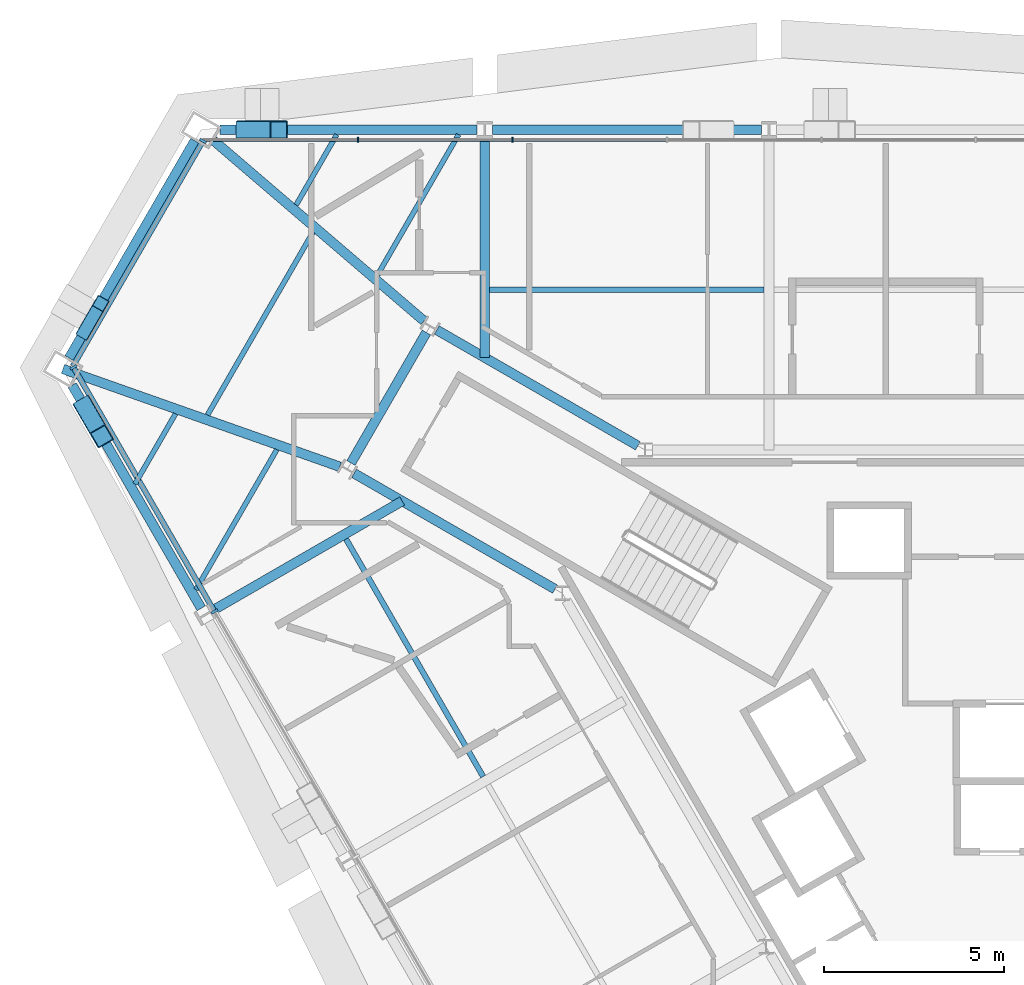
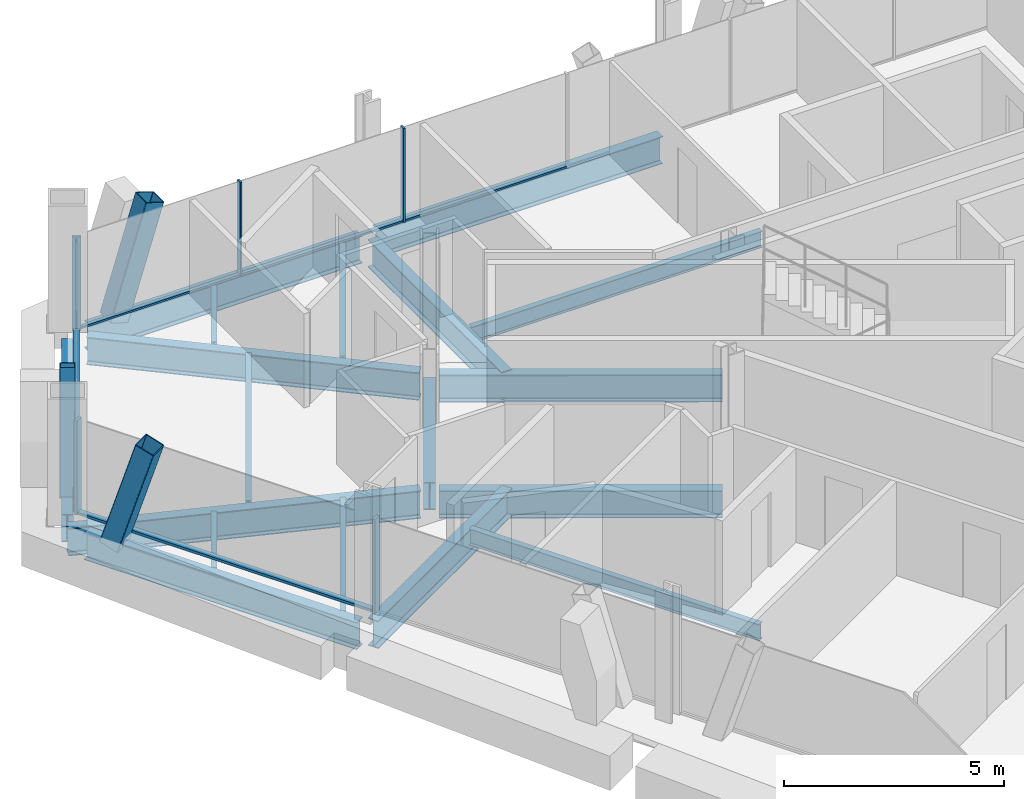
# One storey, part 6 of 17: 18 beams, 13 members, 3 elements without a shape of their own.
"""IFC4 building model written with IfcOpenShell, lengths in metres."""

from ifc_helpers import new_model, si_unit, direction, frame, origin, origin_2d, place, context, subcontext, project, spatial, rectangle, hollow_rectangle, i_section, extrude, material, material_profile, profile_set, type_object, element, aggregate, save


model = new_model("IFC4")

# Units and contexts
model_context = context("Model", 3, precision=1e-05, world=origin(), true_north=direction((0.0, 1.0)))
body_context = subcontext(model_context, "Body", "Model", "MODEL_VIEW")
ifc_project = project(units=[si_unit("LENGTHUNIT", "METRE"), si_unit("AREAUNIT", "SQUARE_METRE"), si_unit("VOLUMEUNIT", "CUBIC_METRE"), si_unit("PLANEANGLEUNIT", "RADIAN"), si_unit("MASSUNIT", "GRAM", prefix="KILO")], contexts=[model_context])

# Site, building, storey
site_placement = place(None, origin())
site = spatial("IfcSite", under=ifc_project, at=site_placement, CompositionType="ELEMENT")
building_placement = place(site_placement, origin())
building = spatial("IfcBuilding", under=site, at=building_placement, Name="Verrane Prism Tower", CompositionType="ELEMENT")
storey_placement = place(building_placement, frame((0.0, 0.0, 96.39990234375)))
storey = spatial("IfcBuildingStorey", under=building, at=storey_placement, Name="L22", CompositionType="ELEMENT", Elevation=96.39990234375)

# Member
ifc_material_1 = material(Name="Steel A500 Grade C", Category="steel")
ifc_material_profile_1 = material_profile(ifc_material_1, hollow_rectangle(XDim=0.355712890625, YDim=0.355712890625, WallThickness=0.0126953125, InnerFilletRadius=0.00634765625, OuterFilletRadius=0.01904296875, at=origin_2d()), Name="HSS14x14x1/2")
ifc_profile_set_1 = profile_set([ifc_material_profile_1], Name="Steel A500 Grade C")
member_type_1 = type_object("IfcMemberType", Name="Chamfer brace HSS14x14x1/2", PredefinedType="BRACE", material=ifc_profile_set_1)
member_1_placement = place(storey_placement, frame((-26.906005859375, 12.477294921875, -0.2451171875), z_axis=(0.145820902694, 0.252056291004, 0.956662892822), x_axis=(-0.8655847131, 0.500762523006, 0.0)))
element("IfcMember", 1, at=member_1_placement, inside=storey, type_object=member_type_1, Name="Chamfer brace NW0 L22", PredefinedType="BRACE", context=body_context, shape_type="SweptSolid", body=[
    extrude(hollow_rectangle(XDim=0.355712890625, YDim=0.355712890625, WallThickness=0.0126953125, InnerFilletRadius=0.00634765625, OuterFilletRadius=0.01904296875, at=origin_2d()), origin(), (0.0, 0.0, 1.0), 3.13916015625),
])

# Beams
ifc_material_2 = material(Name="Steel A992", Category="steel")
ifc_material_profile_2 = material_profile(ifc_material_2, i_section(OverallWidth=0.2666015625, OverallDepth=0.76708984375, WebThickness=0.014892578125, FlangeThickness=0.023681640625, FilletRadius=0.0166015625, at=origin_2d()), Name="W30x124")
ifc_profile_set_2 = profile_set([ifc_material_profile_2], Name="Steel A992")
beam_type_1 = type_object("IfcBeamType", Name="Chamfer spandrel beam W30x124", PredefinedType="SPANDREL", material=ifc_profile_set_2)
beam_1_placement = place(storey_placement, frame((-23.835205078125, 17.787109375, -0.54345703125), z_axis=(-0.500609590055, -0.865673170628, 0.0), x_axis=(0.865673170628, -0.500609590055, 0.0)))
element("IfcBeam", 2, at=beam_1_placement, inside=storey, type_object=beam_type_1, Name="Chamfer spandrel beam L22", PredefinedType="SPANDREL", context=body_context, shape_type="SweptSolid", body=[
    extrude(i_section(OverallWidth=0.2666015625, OverallDepth=0.76708984375, WebThickness=0.014892578125, FlangeThickness=0.023681640625, FilletRadius=0.0166015625, at=origin_2d()), origin(), (0.0, 0.0, 1.0), 6.970458984375),
])
ifc_material_3 = material(Name="Steel A992", Category="steel")
ifc_material_profile_3 = material_profile(ifc_material_3, i_section(OverallWidth=0.2666015625, OverallDepth=0.7568359375, WebThickness=0.013916015625, FlangeThickness=0.019287109375, FilletRadius=0.0166015625, at=origin_2d()), Name="W30x108")
ifc_profile_set_3 = profile_set([ifc_material_profile_3], Name="Steel A992")
beam_type_2 = type_object("IfcBeamType", Name="Core ring girder W30x108", PredefinedType="BEAM", material=ifc_profile_set_3)
beam_2_placement = place(storey_placement, frame((-11.53076171875, 9.315673828125, -0.62841796875), z_axis=(-0.866455532004, 0.499254254924, 0.0), x_axis=(-0.499254254924, -0.866455532004, 0.0)))
element("IfcBeam", 3, at=beam_2_placement, inside=storey, type_object=beam_type_2, Name="Core ring girder L22", PredefinedType="BEAM", context=body_context, shape_type="SweptSolid", body=[
    extrude(i_section(OverallWidth=0.2666015625, OverallDepth=0.7568359375, WebThickness=0.013916015625, FlangeThickness=0.019287109375, FilletRadius=0.0166015625, at=origin_2d()), origin(), (0.0, 0.0, 1.0), 6.441162109375),
])
beam_3_placement = place(storey_placement, frame((-17.40283203125, 12.4619140625, -0.62841796875), z_axis=(-0.500367003619, -0.865813410435, 0.0), x_axis=(0.865813410435, -0.500367003619, 0.0)))
element("IfcBeam", 4, at=beam_3_placement, inside=storey, type_object=beam_type_2, Name="Core ring girder L22", PredefinedType="BEAM", context=body_context, shape_type="SweptSolid", body=[
    extrude(i_section(OverallWidth=0.2666015625, OverallDepth=0.7568359375, WebThickness=0.013916015625, FlangeThickness=0.019287109375, FilletRadius=0.0166015625, at=origin_2d()), origin(), (0.0, 0.0, 1.0), 4.185302734375),
])
beam_4_placement = place(storey_placement, frame((-19.411865234375, 8.551513671875, -0.62841796875), z_axis=(0.866455532004, -0.499254254924, 0.0), x_axis=(0.499254254924, 0.866455532004, 0.0)))
element("IfcBeam", 5, at=beam_4_placement, inside=storey, type_object=beam_type_2, Name="Core ring girder L22", PredefinedType="BEAM", context=body_context, shape_type="SweptSolid", body=[
    extrude(i_section(OverallWidth=0.2666015625, OverallDepth=0.7568359375, WebThickness=0.013916015625, FlangeThickness=0.019287109375, FilletRadius=0.0166015625, at=origin_2d()), origin(), (0.0, 0.0, 1.0), 6.441162109375),
])
ifc_material_4 = material(Name="Steel A992", Category="steel")
ifc_material_profile_4 = material_profile(ifc_material_4, i_section(OverallWidth=0.2666015625, OverallDepth=0.76708984375, WebThickness=0.014892578125, FlangeThickness=0.023681640625, FilletRadius=0.0166015625, at=origin_2d()), Name="W30x124")
ifc_profile_set_4 = profile_set([ifc_material_profile_4], Name="Steel A992")
beam_type_3 = type_object("IfcBeamType", Name="Corner girder W30x124", PredefinedType="BEAM", material=ifc_profile_set_4)
beam_5_placement = place(storey_placement, frame((-23.3125, 17.7919921875, -0.603515625), z_axis=(0.759350631669, -0.65068165656, 0.0), x_axis=(0.65068165656, 0.759350631669, 0.0)))
element("IfcBeam", 6, at=beam_5_placement, inside=storey, type_object=beam_type_3, Name="Corner girder L22", PredefinedType="BEAM", context=body_context, shape_type="SweptSolid", body=[
    extrude(i_section(OverallWidth=0.2666015625, OverallDepth=0.76708984375, WebThickness=0.014892578125, FlangeThickness=0.023681640625, FilletRadius=0.0166015625, at=origin_2d()), origin(), (0.0, 0.0, 1.0), 7.697021484375),
])
beam_6_placement = place(storey_placement, frame((-27.4970703125, 11.448974609375, -0.603515625), z_axis=(0.942926196669, -0.333001783233, 0.0), x_axis=(0.333001783233, 0.942926196669, 0.0)))
element("IfcBeam", 7, at=beam_6_placement, inside=storey, type_object=beam_type_3, Name="Corner girder L22", PredefinedType="BEAM", context=body_context, shape_type="SweptSolid", body=[
    extrude(i_section(OverallWidth=0.2666015625, OverallDepth=0.76708984375, WebThickness=0.014892578125, FlangeThickness=0.023681640625, FilletRadius=0.0166015625, at=origin_2d()), origin(), (0.0, 0.0, 1.0), 8.154052734375),
])

# Members
ifc_material_5 = material(Name="Steel A1085 Grade A", Category="steel")
ifc_material_profile_5 = material_profile(ifc_material_5, hollow_rectangle(XDim=0.508056640625, YDim=0.508056640625, WallThickness=0.025390625, InnerFilletRadius=0.0126953125, OuterFilletRadius=0.0380859375, at=origin_2d()), Name="HSS20x20x1")
ifc_profile_set_5 = profile_set([ifc_material_profile_5], Name="Steel A1085 Grade A")
member_type_2 = type_object("IfcMemberType", Name="Facade brace HSS20x20x1", PredefinedType="BRACE", material=ifc_profile_set_5)
member_2_placement = place(storey_placement, frame((-22.44189453125, 18.090087890625, -0.242431640625), z_axis=(0.298464647361, 0.0, 0.954420690406), x_axis=(0.0, 1.0, 0.0)))
element("IfcMember", 8, at=member_2_placement, inside=storey, type_object=member_type_2, Name="Facade brace N5 L22", PredefinedType="BRACE", context=body_context, shape_type="SweptSolid", body=[
    extrude(hollow_rectangle(XDim=0.508056640625, YDim=0.508056640625, WallThickness=0.025390625, InnerFilletRadius=0.0126953125, OuterFilletRadius=0.0380859375, at=origin_2d()), origin(), (0.0, 0.0, 1.0), 3.151611328125),
])
member_3_placement = place(storey_placement, frame((-26.889404296875, 10.39404296875, -0.242431640625), z_axis=(0.149642236647, -0.258620822031, 0.954317804205), x_axis=(0.86555049301, 0.500821668911, 0.0)))
element("IfcMember", 9, at=member_3_placement, inside=storey, type_object=member_type_2, Name="Facade brace SW0 L22", PredefinedType="BRACE", context=body_context, shape_type="SweptSolid", body=[
    extrude(hollow_rectangle(XDim=0.508056640625, YDim=0.508056640625, WallThickness=0.025390625, InnerFilletRadius=0.0126953125, OuterFilletRadius=0.0380859375, at=origin_2d()), origin(), (0.0, 0.0, 1.0), 3.152099609375),
])

# Beams
ifc_material_6 = material(Name="Steel A992", Category="steel")
ifc_material_profile_6 = material_profile(ifc_material_6, i_section(OverallWidth=0.140380859375, OverallDepth=0.40380859375, WebThickness=0.007080078125, FlangeThickness=0.01123046875, FilletRadius=0.01025390625, at=origin_2d()), Name="W16x31")
ifc_profile_set_6 = profile_set([ifc_material_profile_6], Name="Steel A992")
beam_type_4 = type_object("IfcBeamType", Name="Floor beam W16x31", PredefinedType="BEAM", material=ifc_profile_set_6)
beam_7_placement = place(storey_placement, frame((-18.756591796875, 14.06396484375, -0.36181640625), z_axis=(0.499988891082, 0.866031817426, 0.0), x_axis=(-0.866031817426, 0.499988891082, 0.0)))
element("IfcBeam", 10, at=beam_7_placement, inside=storey, type_object=beam_type_4, Name="Floor beam L22", PredefinedType="BEAM", context=body_context, shape_type="SweptSolid", body=[
    extrude(i_section(OverallWidth=0.140380859375, OverallDepth=0.40380859375, WebThickness=0.007080078125, FlangeThickness=0.01123046875, FilletRadius=0.01025390625, at=origin_2d()), origin(), (0.0, 0.0, 1.0), 4.49462890625),
])
beam_8_placement = place(storey_placement, frame((-21.019775390625, 16.00341796875, -0.36181640625), z_axis=(0.500016062875, 0.866016129681, 0.0), x_axis=(-0.866016129681, 0.500016062875, 0.0)))
element("IfcBeam", 11, at=beam_8_placement, inside=storey, type_object=beam_type_4, Name="Floor beam L22", PredefinedType="BEAM", context=body_context, shape_type="SweptSolid", body=[
    extrude(i_section(OverallWidth=0.140380859375, OverallDepth=0.40380859375, WebThickness=0.007080078125, FlangeThickness=0.01123046875, FilletRadius=0.01025390625, at=origin_2d()), origin(), (0.0, 0.0, 1.0), 2.25537109375),
])
beam_9_placement = place(storey_placement, frame((-23.80126953125, 5.321044921875, -0.36181640625), z_axis=(0.500004878216, 0.866022587327, 0.0), x_axis=(-0.866022587327, 0.500004878216, 0.0)))
element("IfcBeam", 12, at=beam_9_placement, inside=storey, type_object=beam_type_4, Name="Floor beam L22", PredefinedType="BEAM", context=body_context, shape_type="SweptSolid", body=[
    extrude(i_section(OverallWidth=0.140380859375, OverallDepth=0.40380859375, WebThickness=0.007080078125, FlangeThickness=0.01123046875, FilletRadius=0.01025390625, at=origin_2d()), origin(), (0.0, 0.0, 1.0), 4.48974609375),
])
beam_10_placement = place(storey_placement, frame((-25.49658203125, 8.25244140625, -0.36181640625), z_axis=(0.499997670926, 0.866026748472, 0.0), x_axis=(-0.866026748472, 0.499997670926, 0.0)))
element("IfcBeam", 13, at=beam_10_placement, inside=storey, type_object=beam_type_4, Name="Floor beam L22", PredefinedType="BEAM", context=body_context, shape_type="SweptSolid", body=[
    extrude(i_section(OverallWidth=0.140380859375, OverallDepth=0.40380859375, WebThickness=0.007080078125, FlangeThickness=0.01123046875, FilletRadius=0.01025390625, at=origin_2d()), origin(), (0.0, 0.0, 1.0), 2.25244140625),
])
beam_11_placement = place(storey_placement, frame((-23.481201171875, 10.17236328125, -0.36181640625), z_axis=(0.500000035988, 0.866025383007, 0.0), x_axis=(-0.866025383007, 0.500000035988, 0.0)))
element("IfcBeam", 14, at=beam_11_placement, inside=storey, type_object=beam_type_4, Name="Floor beam L22", PredefinedType="BEAM", context=body_context, shape_type="SweptSolid", body=[
    extrude(i_section(OverallWidth=0.140380859375, OverallDepth=0.40380859375, WebThickness=0.007080078125, FlangeThickness=0.01123046875, FilletRadius=0.01025390625, at=origin_2d()), origin(), (0.0, 0.0, 1.0), 5.8623046875),
])
ifc_material_7 = material(Name="Steel A992", Category="steel")
ifc_material_profile_7 = material_profile(ifc_material_7, i_section(OverallWidth=0.15234375, OverallDepth=0.449462890625, WebThickness=0.007568359375, FlangeThickness=0.0107421875, FilletRadius=0.01025390625, at=origin_2d()), Name="W18x35")
ifc_profile_set_7 = profile_set([ifc_material_profile_7], Name="Steel A992")
beam_type_5 = type_object("IfcBeamType", Name="Floor beam W18x35", PredefinedType="BEAM", material=ifc_profile_set_7)
beam_12_placement = place(storey_placement, frame((-15.646484375, 13.64501953125, -0.384765625), z_axis=(1.0, 0.0, 0.0), x_axis=(0.0, 1.0, 0.0)))
element("IfcBeam", 15, at=beam_12_placement, inside=storey, type_object=beam_type_5, Name="Floor beam L22", PredefinedType="BEAM", context=body_context, shape_type="SweptSolid", body=[
    extrude(i_section(OverallWidth=0.15234375, OverallDepth=0.449462890625, WebThickness=0.007568359375, FlangeThickness=0.0107421875, FilletRadius=0.01025390625, at=origin_2d()), origin(), (0.0, 0.0, 1.0), 7.623046875),
])
beam_13_placement = place(storey_placement, frame((-15.82666015625, 0.130615234375, -0.384765625), z_axis=(-0.49997412077, 0.866040344649, 0.0), x_axis=(-0.866040344649, -0.49997412077, 0.0)))
element("IfcBeam", 16, at=beam_13_placement, inside=storey, type_object=beam_type_5, Name="Floor beam L22", PredefinedType="BEAM", context=body_context, shape_type="SweptSolid", body=[
    extrude(i_section(OverallWidth=0.15234375, OverallDepth=0.449462890625, WebThickness=0.007568359375, FlangeThickness=0.0107421875, FilletRadius=0.01025390625, at=origin_2d()), origin(), (0.0, 0.0, 1.0), 7.61376953125),
])

# Curtain wall, members
ifc_material_8 = material(Name="Aluminium framed insulated glazing", Category="aluminium")
curtain_wall_type_1 = type_object("IfcCurtainWallType", Name="Curtain wall CW-C 4200 module", PredefinedType="NOTDEFINED", material=ifc_material_8)
curtain_wall_1_placement = place(storey_placement, origin())
curtain_wall_1 = element("IfcCurtainWall", 17, at=curtain_wall_1_placement, inside=storey, type_object=curtain_wall_type_1, Name="Glazed curtain wall north face L22", PredefinedType="NOTDEFINED")
ifc_material_9 = material(Name="Aluminium alloy 6063-T6", Category="aluminium")
ifc_material_profile_8 = material_profile(ifc_material_9, rectangle(XDim=0.139892578125, YDim=0.050048828125, at=origin_2d()), Name="Mullion 50x140 aluminium")
ifc_profile_set_8 = profile_set([ifc_material_profile_8], Name="Aluminium alloy 6063-T6")
member_type_3 = type_object("IfcMemberType", Name="Mullion 50x140 aluminium", PredefinedType="MULLION", material=ifc_profile_set_8)
member_4_placement = place(storey_placement, frame((-15.01171875, 17.81103515625, 0.0), z_axis=(0.0, 0.0, 1.0), x_axis=(0.0, -1.0, 0.0)))
member_4 = element("IfcMember", 18, at=member_4_placement, type_object=member_type_3, Name="CW21.2 mullion 10", PredefinedType="MULLION", context=body_context, shape_type="SweptSolid", body=[
    extrude(rectangle(XDim=0.139892578125, YDim=0.050048828125, at=origin_2d()), origin(), (0.0, 0.0, 1.0), 2.613037109375),
])
member_5_placement = place(storey_placement, frame((-19.30078125, 17.81103515625, 0.0), z_axis=(0.0, 0.0, 1.0), x_axis=(0.0, -1.0, 0.0)))
member_5 = element("IfcMember", 19, at=member_5_placement, type_object=member_type_3, Name="CW21.2 mullion 11", PredefinedType="MULLION", context=body_context, shape_type="SweptSolid", body=[
    extrude(rectangle(XDim=0.139892578125, YDim=0.050048828125, at=origin_2d()), origin(), (0.0, 0.0, 1.0), 2.613037109375),
])

# Curtain wall, member
ifc_material_10 = material(Name="Aluminium framed insulated glazing", Category="aluminium")
curtain_wall_type_2 = type_object("IfcCurtainWallType", Name="Curtain wall CW-A 8400 module", PredefinedType="NOTDEFINED", material=ifc_material_10)
curtain_wall_2_placement = place(storey_placement, origin())
curtain_wall_2 = element("IfcCurtainWall", 20, at=curtain_wall_2_placement, inside=storey, type_object=curtain_wall_type_2, Name="Glazed curtain wall north-west corner L22", PredefinedType="NOTDEFINED")
ifc_material_11 = material(Name="Aluminium alloy 6063-T6", Category="aluminium")
ifc_material_profile_9 = material_profile(ifc_material_11, rectangle(XDim=0.199951171875, YDim=0.070068359375, at=origin_2d()), Name="Mullion 70x200 aluminium")
ifc_profile_set_9 = profile_set([ifc_material_profile_9], Name="Aluminium alloy 6063-T6")
member_type_4 = type_object("IfcMemberType", Name="Mullion 70x200 aluminium", PredefinedType="MULLION", material=ifc_profile_set_9)
member_6_placement = place(storey_placement, frame((-23.607177734375, 17.78076171875, 0.0), z_axis=(0.0, 0.0, 1.0), x_axis=(0.866026394632, -0.499998283797, 0.0)))
member_6 = element("IfcMember", 21, at=member_6_placement, type_object=member_type_4, Name="CW21.3 mullion 1", PredefinedType="MULLION", context=body_context, shape_type="SweptSolid", body=[
    extrude(rectangle(XDim=0.199951171875, YDim=0.070068359375, at=origin_2d()), origin(), (0.0, 0.0, 1.0), 2.613037109375),
])

# Curtain wall, members
curtain_wall_3_placement = place(storey_placement, origin())
curtain_wall_3 = element("IfcCurtainWall", 22, at=curtain_wall_3_placement, inside=storey, type_object=curtain_wall_type_2, Name="Glazed curtain wall south-west face L22", PredefinedType="NOTDEFINED")
member_7_placement = place(storey_placement, frame((-27.2021484375, 11.493408203125, 0.0), z_axis=(0.0, 0.0, 1.0), x_axis=(0.866025621383, 0.499999623108, 0.0)))
member_7 = element("IfcMember", 23, at=member_7_placement, type_object=member_type_4, Name="CW21.4 mullion 1", PredefinedType="MULLION", context=body_context, shape_type="SweptSolid", body=[
    extrude(rectangle(XDim=0.199951171875, YDim=0.070068359375, at=origin_2d()), origin(), (0.0, 0.0, 1.0), 2.613037109375),
])
member_8_placement = place(storey_placement, frame((-23.2880859375, 4.714111328125, 0.0), z_axis=(0.0, 0.0, 1.0), x_axis=(0.866025621383, 0.499999623108, 0.0)))
member_8 = element("IfcMember", 24, at=member_8_placement, type_object=member_type_4, Name="CW21.4 mullion 2", PredefinedType="MULLION", context=body_context, shape_type="SweptSolid", body=[
    extrude(rectangle(XDim=0.199951171875, YDim=0.070068359375, at=origin_2d()), origin(), (0.0, 0.0, 1.0), 2.613037109375),
])

# Beams
ifc_material_12 = material(Name="Steel A992", Category="steel")
ifc_material_profile_10 = material_profile(ifc_material_12, i_section(OverallWidth=0.2666015625, OverallDepth=0.76708984375, WebThickness=0.014892578125, FlangeThickness=0.023681640625, FilletRadius=0.0166015625, at=origin_2d()), Name="W30x124")
ifc_profile_set_10 = profile_set([ifc_material_profile_10], Name="Steel A992")
beam_type_6 = type_object("IfcBeamType", Name="Radial girder W30x124", PredefinedType="BEAM", material=ifc_profile_set_10)
beam_14_placement = place(storey_placement, frame((-15.780029296875, 17.8525390625, -0.603515625), z_axis=(0.0, -1.0, 0.0), x_axis=(1.0, 0.0, 0.0)))
element("IfcBeam", 25, at=beam_14_placement, inside=storey, type_object=beam_type_6, Name="Radial girder L22", PredefinedType="BEAM", context=body_context, shape_type="SweptSolid", body=[
    extrude(i_section(OverallWidth=0.2666015625, OverallDepth=0.76708984375, WebThickness=0.014892578125, FlangeThickness=0.023681640625, FilletRadius=0.0166015625, at=origin_2d()), origin(), (0.0, 0.0, 1.0), 6.08837890625),
])
beam_15_placement = place(storey_placement, frame((-23.34423828125, 4.73876953125, -0.603515625), z_axis=(0.866034580849, 0.49998410452, 0.0), x_axis=(-0.49998410452, 0.866034580849, 0.0)))
element("IfcBeam", 26, at=beam_15_placement, inside=storey, type_object=beam_type_6, Name="Radial girder L22", PredefinedType="BEAM", context=body_context, shape_type="SweptSolid", body=[
    extrude(i_section(OverallWidth=0.2666015625, OverallDepth=0.76708984375, WebThickness=0.014892578125, FlangeThickness=0.023681640625, FilletRadius=0.0166015625, at=origin_2d()), origin(), (0.0, 0.0, 1.0), 6.084716796875),
])
ifc_material_13 = material(Name="Steel A992", Category="steel")
ifc_material_profile_11 = material_profile(ifc_material_13, i_section(OverallWidth=0.2666015625, OverallDepth=0.7568359375, WebThickness=0.013916015625, FlangeThickness=0.019287109375, FilletRadius=0.0166015625, at=origin_2d()), Name="W30x108")
ifc_profile_set_11 = profile_set([ifc_material_profile_11], Name="Steel A992")
beam_type_7 = type_object("IfcBeamType", Name="Spandrel beam W30x108", PredefinedType="SPANDREL", material=ifc_profile_set_11)
beam_16_placement = place(storey_placement, frame((-8.10205078125, 18.090087890625, -0.538330078125), z_axis=(-1.0, 0.0, 0.0), x_axis=(0.0, -1.0, 0.0)))
element("IfcBeam", 27, at=beam_16_placement, inside=storey, type_object=beam_type_7, Name="Spandrel beam L22", PredefinedType="SPANDREL", context=body_context, shape_type="SweptSolid", body=[
    extrude(i_section(OverallWidth=0.2666015625, OverallDepth=0.7568359375, WebThickness=0.013916015625, FlangeThickness=0.019287109375, FilletRadius=0.0166015625, at=origin_2d()), origin(), (0.0, 0.0, 1.0), 7.4658203125),
])
beam_17_placement = place(storey_placement, frame((-15.9921875, 18.090087890625, -0.538330078125), z_axis=(-1.0, 0.0, 0.0), x_axis=(0.0, -1.0, 0.0)))
element("IfcBeam", 28, at=beam_17_placement, inside=storey, type_object=beam_type_7, Name="Spandrel beam L22", PredefinedType="SPANDREL", context=body_context, shape_type="SweptSolid", body=[
    extrude(i_section(OverallWidth=0.2666015625, OverallDepth=0.7568359375, WebThickness=0.013916015625, FlangeThickness=0.019287109375, FilletRadius=0.0166015625, at=origin_2d()), origin(), (0.0, 0.0, 1.0), 7.148193359375),
])
beam_18_placement = place(storey_placement, frame((-27.239990234375, 11.00048828125, -0.538330078125), z_axis=(0.50063155155, -0.865660470157, 0.0), x_axis=(0.865660470157, 0.50063155155, 0.0)))
element("IfcBeam", 29, at=beam_18_placement, inside=storey, type_object=beam_type_7, Name="Spandrel beam L22", PredefinedType="SPANDREL", context=body_context, shape_type="SweptSolid", body=[
    extrude(i_section(OverallWidth=0.2666015625, OverallDepth=0.7568359375, WebThickness=0.013916015625, FlangeThickness=0.019287109375, FilletRadius=0.0166015625, at=origin_2d()), origin(), (0.0, 0.0, 1.0), 7.158447265625),
])

# Member
ifc_material_14 = material(Name="Aluminium alloy 6063-T6", Category="aluminium")
ifc_material_profile_12 = material_profile(ifc_material_14, rectangle(XDim=0.10009765625, YDim=0.050048828125, at=origin_2d()), Name="Transom 50x100 aluminium")
ifc_profile_set_12 = profile_set([ifc_material_profile_12], Name="Aluminium alloy 6063-T6")
member_type_5 = type_object("IfcMemberType", Name="Transom 50x100 aluminium", PredefinedType="USERDEFINED", material=ifc_profile_set_12)
member_9_placement = place(storey_placement, frame((-10.74755859375, 17.81103515625, 0.025146484375), z_axis=(-1.0, 0.0, 0.0), x_axis=(0.0, -1.0, 0.0)))
member_9 = element("IfcMember", 30, at=member_9_placement, type_object=member_type_5, Name="CW21.2 transom 9", ObjectType="TRANSOM", PredefinedType="USERDEFINED", context=body_context, shape_type="SweptSolid", body=[
    extrude(rectangle(XDim=0.10009765625, YDim=0.050048828125, at=origin_2d()), origin(), (0.0, 0.0, 1.0), 4.239013671875),
])

member_10_placement = place(storey_placement, frame((-15.03662109375, 17.81103515625, 0.025146484375), z_axis=(-1.0, 0.0, 0.0), x_axis=(0.0, -1.0, 0.0)))
member_10 = element("IfcMember", 31, at=member_10_placement, type_object=member_type_5, Name="CW21.2 transom 10", ObjectType="TRANSOM", PredefinedType="USERDEFINED", context=body_context, shape_type="SweptSolid", body=[
    extrude(rectangle(XDim=0.10009765625, YDim=0.050048828125, at=origin_2d()), origin(), (0.0, 0.0, 1.0), 4.239013671875),
])

member_11_placement = place(storey_placement, frame((-19.32568359375, 17.81103515625, 0.025146484375), z_axis=(-1.0, 0.0, 0.0), x_axis=(0.0, -1.0, 0.0)))
member_11 = element("IfcMember", 32, at=member_11_placement, type_object=member_type_5, Name="CW21.2 transom 11", ObjectType="TRANSOM", PredefinedType="USERDEFINED", context=body_context, shape_type="SweptSolid", body=[
    extrude(rectangle(XDim=0.10009765625, YDim=0.050048828125, at=origin_2d()), origin(), (0.0, 0.0, 1.0), 4.263916015625),
])

aggregate(curtain_wall_1, [member_4, member_5, member_9, member_10, member_11])

ifc_material_15 = material(Name="Aluminium alloy 6063-T6", Category="aluminium")
ifc_material_profile_13 = material_profile(ifc_material_15, rectangle(XDim=0.14990234375, YDim=0.070068359375, at=origin_2d()), Name="Transom 70x150 aluminium")
ifc_profile_set_13 = profile_set([ifc_material_profile_13], Name="Aluminium alloy 6063-T6")
member_type_6 = type_object("IfcMemberType", Name="Transom 70x150 aluminium", PredefinedType="USERDEFINED", material=ifc_profile_set_13)
member_12_placement = place(storey_placement, frame((-23.624755859375, 17.75048828125, 0.03515625), z_axis=(-0.499966418554, -0.866044791173, 0.0), x_axis=(0.866044791173, -0.499966418554, 0.0)))
member_12 = element("IfcMember", 33, at=member_12_placement, type_object=member_type_6, Name="CW21.3 transom 1", ObjectType="TRANSOM", PredefinedType="USERDEFINED", context=body_context, shape_type="SweptSolid", body=[
    extrude(rectangle(XDim=0.14990234375, YDim=0.070068359375, at=origin_2d()), origin(), (0.0, 0.0, 1.0), 7.18994140625),
])

aggregate(curtain_wall_2, [member_6, member_12])

member_13_placement = place(storey_placement, frame((-27.1845703125, 11.463134765625, 0.03515625), z_axis=(0.50000756646, -0.866021035243, 0.0), x_axis=(0.866021035243, 0.50000756646, 0.0)))
member_13 = element("IfcMember", 34, at=member_13_placement, type_object=member_type_6, Name="CW21.4 transom 1", ObjectType="TRANSOM", PredefinedType="USERDEFINED", context=body_context, shape_type="SweptSolid", body=[
    extrude(rectangle(XDim=0.14990234375, YDim=0.070068359375, at=origin_2d()), origin(), (0.0, 0.0, 1.0), 7.75830078125),
])

aggregate(curtain_wall_3, [member_7, member_8, member_13])

save(model, "model.ifc")
